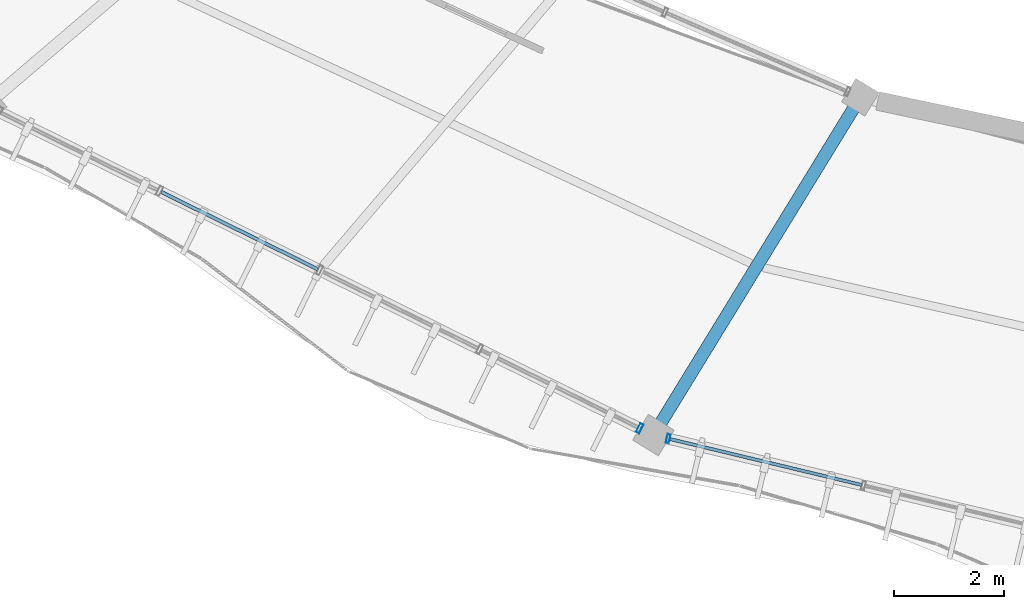
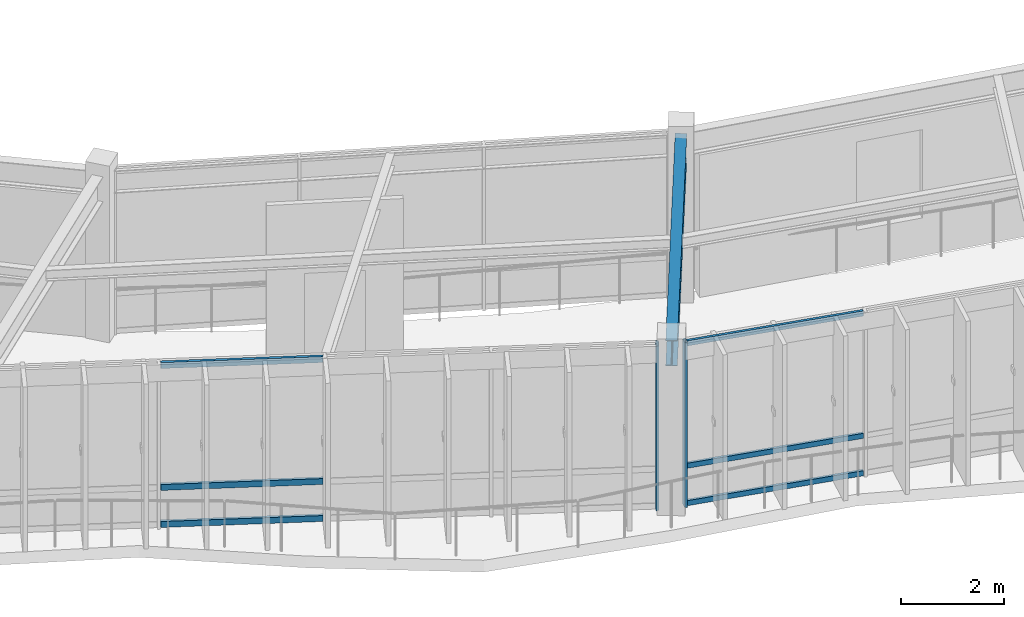
# One storey, part 5 of 79: 8 members, 1 beam, 2 elements without a shape of their own.
"""IFC4 building model written with IfcOpenShell, lengths in metres."""

from ifc_helpers import new_model, si_unit, direction, frame, origin, origin_2d, place, context, subcontext, project, spatial, hollow_rectangle, i_section, extrude, material, material_profile, profile_set, type_object, element, aggregate, save


model = new_model("IFC4")

# Units and contexts
model_context = context("Model", 3, precision=1e-05, world=origin(), true_north=direction((0.0, 1.0)))
body_context = subcontext(model_context, "Body", "Model", "MODEL_VIEW")
ifc_project = project(units=[si_unit("LENGTHUNIT", "METRE"), si_unit("AREAUNIT", "SQUARE_METRE"), si_unit("VOLUMEUNIT", "CUBIC_METRE"), si_unit("PLANEANGLEUNIT", "RADIAN"), si_unit("MASSUNIT", "GRAM", prefix="KILO"), si_unit("THERMODYNAMICTEMPERATUREUNIT", "KELVIN"), si_unit("POWERUNIT", "WATT")], contexts=[model_context])

# Site, building, storey
site_placement = place(None, origin())
site = spatial("IfcSite", under=ifc_project, at=site_placement, CompositionType="ELEMENT")
building_placement = place(site_placement, origin())
building = spatial("IfcBuilding", under=site, at=building_placement, Name="Darbajah Civic Hall", CompositionType="ELEMENT")
storey_placement = place(building_placement, frame((0.0, 0.0, 22.199951171875)))
storey = spatial("IfcBuildingStorey", under=building, at=storey_placement, Name="L05", CompositionType="ELEMENT", Elevation=22.199951171875)

# Curtain wall, member
ifc_material_1 = material(Name="Anodised Bronze Aluminium and Low-E Glazing", Category="aluminium")
curtain_wall_type_1 = type_object("IfcCurtainWallType", Name="Unitised Curtain Wall CW-71 14600x3900", PredefinedType="USERDEFINED", material=ifc_material_1)
curtain_wall_1_placement = place(storey_placement, origin())
curtain_wall_1 = element("IfcCurtainWall", 1, at=curtain_wall_1_placement, inside=storey, type_object=curtain_wall_type_1, Name="L05 unitised curtain wall CW-V1O-L05-13", ObjectType="UNITISED CURTAIN WALL", PredefinedType="USERDEFINED")
ifc_material_2 = material(Name="Anodised Bronze Aluminium", Category="aluminium")
ifc_material_profile_1 = material_profile(ifc_material_2, hollow_rectangle(XDim=0.06005859375, YDim=0.159912109375, WallThickness=0.00341796875, at=origin_2d()), Name="ALU MULLION 60x160")
ifc_profile_set_1 = profile_set([ifc_material_profile_1], Name="Anodised Bronze Aluminium")
member_type_1 = type_object("IfcMemberType", Name="ALU MULLION 60x160", PredefinedType="MULLION", material=ifc_profile_set_1)
member_1_placement = place(storey_placement, frame((62.721923828125, 64.58251953125, 0.0), z_axis=(0.0, 0.0, 1.0), x_axis=(0.972492018808, -0.232936200179, 0.0)))
member_1 = element("IfcMember", 2, at=member_1_placement, type_object=member_type_1, Name="CW-V1O-L05-13 mullion 1", PredefinedType="MULLION", context=body_context, shape_type="SweptSolid", body=[
    extrude(hollow_rectangle(XDim=0.06005859375, YDim=0.159912109375, WallThickness=0.00341796875, at=origin_2d()), origin(), (0.0, 0.0, 1.0), 3.920166015625),
])

curtain_wall_type_2 = type_object("IfcCurtainWallType", Name="Unitised Curtain Wall CW-83 13000x3900", PredefinedType="USERDEFINED", material=ifc_material_1)
curtain_wall_2_placement = place(storey_placement, origin())
curtain_wall_2 = element("IfcCurtainWall", 3, at=curtain_wall_2_placement, inside=storey, type_object=curtain_wall_type_2, Name="L05 unitised curtain wall CW-V1O-L05-12", ObjectType="UNITISED CURTAIN WALL", PredefinedType="USERDEFINED")
ifc_material_profile_2 = material_profile(ifc_material_2, hollow_rectangle(XDim=0.06494140625, YDim=0.179931640625, WallThickness=0.00390625, at=origin_2d()), Name="ALU MULLION 65x180")
ifc_profile_set_2 = profile_set([ifc_material_profile_2], Name="Anodised Bronze Aluminium")
member_type_2 = type_object("IfcMemberType", Name="ALU MULLION 65x180", PredefinedType="MULLION", material=ifc_profile_set_2)
member_2_placement = place(storey_placement, frame((62.204345703125, 64.769775390625, 0.0), z_axis=(0.0, 0.0, 1.0), x_axis=(0.89656374724, -0.442914717678, 0.0)))
member_2 = element("IfcMember", 4, at=member_2_placement, type_object=member_type_2, Name="CW-V1O-L05-12 mullion 5", PredefinedType="MULLION", context=body_context, shape_type="SweptSolid", body=[
    extrude(hollow_rectangle(XDim=0.06494140625, YDim=0.179931640625, WallThickness=0.00390625, at=origin_2d()), origin(), (0.0, 0.0, 1.0), 3.920166015625),
])

# Member
ifc_material_profile_3 = material_profile(ifc_material_2, hollow_rectangle(XDim=0.06005859375, YDim=0.1201171875, WallThickness=0.003173828125, at=origin_2d()), Name="ALU TRANSOM 60x120")
ifc_profile_set_3 = profile_set([ifc_material_profile_3], Name="Anodised Bronze Aluminium")
member_type_3 = type_object("IfcMemberType", Name="ALU TRANSOM 60x120", PredefinedType="USERDEFINED", material=ifc_profile_set_3)
member_3_placement = place(storey_placement, frame((62.756103515625, 64.574462890625, 0.06005859375), z_axis=(0.972473868107, -0.233011965033, 0.0), x_axis=(0.233011965033, 0.972473868107, 0.0)))
member_3 = element("IfcMember", 5, at=member_3_placement, type_object=member_type_3, Name="CW-V1O-L05-13 transom 1.1", ObjectType="TRANSOM", PredefinedType="USERDEFINED", context=body_context, shape_type="SweptSolid", body=[
    extrude(hollow_rectangle(XDim=0.06005859375, YDim=0.1201171875, WallThickness=0.003173828125, at=origin_2d()), origin(), (0.0, 0.0, 1.0), 3.581298828125),
])

member_4_placement = place(storey_placement, frame((62.756103515625, 64.574462890625, 0.949951171875), z_axis=(0.972473868107, -0.233011965033, 0.0), x_axis=(0.233011965033, 0.972473868107, 0.0)))
member_4 = element("IfcMember", 6, at=member_4_placement, type_object=member_type_3, Name="CW-V1O-L05-13 transom 1.2", ObjectType="TRANSOM", PredefinedType="USERDEFINED", context=body_context, shape_type="SweptSolid", body=[
    extrude(hollow_rectangle(XDim=0.06005859375, YDim=0.1201171875, WallThickness=0.003173828125, at=origin_2d()), origin(), (0.0, 0.0, 1.0), 3.581298828125),
])

member_5_placement = place(storey_placement, frame((62.756103515625, 64.574462890625, 3.860107421875), z_axis=(0.972473868107, -0.233011965033, 0.0), x_axis=(0.233011965033, 0.972473868107, 0.0)))
member_5 = element("IfcMember", 7, at=member_5_placement, type_object=member_type_3, Name="CW-V1O-L05-13 transom 1.3", ObjectType="TRANSOM", PredefinedType="USERDEFINED", context=body_context, shape_type="SweptSolid", body=[
    extrude(hollow_rectangle(XDim=0.06005859375, YDim=0.1201171875, WallThickness=0.003173828125, at=origin_2d()), origin(), (0.0, 0.0, 1.0), 3.581298828125),
])

aggregate(curtain_wall_1, [member_1, member_3, member_4, member_5])

ifc_material_profile_4 = material_profile(ifc_material_2, hollow_rectangle(XDim=0.06494140625, YDim=0.139892578125, WallThickness=0.00341796875, at=origin_2d()), Name="ALU TRANSOM 65x140")
ifc_profile_set_4 = profile_set([ifc_material_profile_4], Name="Anodised Bronze Aluminium")
member_type_4 = type_object("IfcMemberType", Name="ALU TRANSOM 65x140", PredefinedType="USERDEFINED", material=ifc_profile_set_4)
member_6_placement = place(storey_placement, frame((53.510498046875, 69.064697265625, 0.070068359375), z_axis=(0.89657349614, -0.442894983059, 0.0), x_axis=(0.442894983059, 0.89657349614, 0.0)))
member_6 = element("IfcMember", 8, at=member_6_placement, type_object=member_type_4, Name="CW-V1O-L05-12 transom 2.1", ObjectType="TRANSOM", PredefinedType="USERDEFINED", context=body_context, shape_type="SweptSolid", body=[
    extrude(hollow_rectangle(XDim=0.06494140625, YDim=0.139892578125, WallThickness=0.00341796875, at=origin_2d()), origin(), (0.0, 0.0, 1.0), 3.169677734375),
])

member_7_placement = place(storey_placement, frame((53.510498046875, 69.064697265625, 0.949951171875), z_axis=(0.89657349614, -0.442894983059, 0.0), x_axis=(0.442894983059, 0.89657349614, 0.0)))
member_7 = element("IfcMember", 9, at=member_7_placement, type_object=member_type_4, Name="CW-V1O-L05-12 transom 2.2", ObjectType="TRANSOM", PredefinedType="USERDEFINED", context=body_context, shape_type="SweptSolid", body=[
    extrude(hollow_rectangle(XDim=0.06494140625, YDim=0.139892578125, WallThickness=0.00341796875, at=origin_2d()), origin(), (0.0, 0.0, 1.0), 3.169677734375),
])

member_8_placement = place(storey_placement, frame((53.510498046875, 69.064697265625, 3.85009765625), z_axis=(0.89657349614, -0.442894983059, 0.0), x_axis=(0.442894983059, 0.89657349614, 0.0)))
member_8 = element("IfcMember", 10, at=member_8_placement, type_object=member_type_4, Name="CW-V1O-L05-12 transom 2.3", ObjectType="TRANSOM", PredefinedType="USERDEFINED", context=body_context, shape_type="SweptSolid", body=[
    extrude(hollow_rectangle(XDim=0.06494140625, YDim=0.139892578125, WallThickness=0.00341796875, at=origin_2d()), origin(), (0.0, 0.0, 1.0), 3.169677734375),
])

aggregate(curtain_wall_2, [member_2, member_6, member_7, member_8])

# Beam
ifc_material_3 = material(Name="Steel S355JR", Category="steel")
ifc_material_profile_5 = material_profile(ifc_material_3, i_section(OverallWidth=0.228271484375, OverallDepth=0.607666015625, WebThickness=0.010986328125, FlangeThickness=0.017333984375, FilletRadius=0.0126953125, at=origin_2d()), Name="UB 610x229x113")
ifc_profile_set_5 = profile_set([ifc_material_profile_5], Name="Steel S355JR")
beam_type = type_object("IfcBeamType", Name="UB 610x229x113", PredefinedType="BEAM", material=ifc_profile_set_5)
beam_placement = place(storey_placement, frame((66.1728515625, 70.718017578125, 3.6162109375), z_axis=(-0.522500254411, -0.852639128905, 0.0), x_axis=(0.852639128905, -0.522500254411, 0.0)))
element("IfcBeam", 11, at=beam_placement, inside=storey, type_object=beam_type, Name="L05 beam SB-610", PredefinedType="BEAM", context=body_context, shape_type="SweptSolid", body=[
    extrude(i_section(OverallWidth=0.228271484375, OverallDepth=0.607666015625, WebThickness=0.010986328125, FlangeThickness=0.017333984375, FilletRadius=0.0126953125, at=origin_2d()), origin(), (0.0, 0.0, 1.0), 7.0400390625),
])

save(model, "model.ifc")
